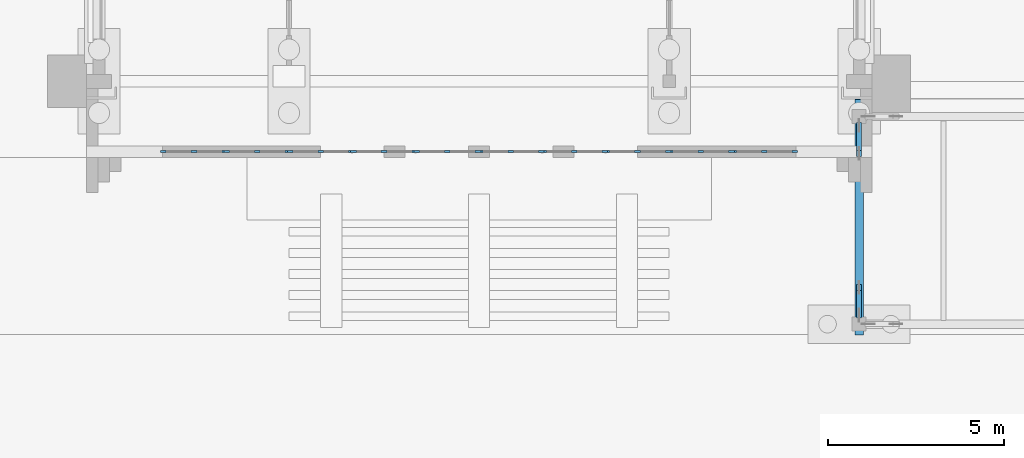
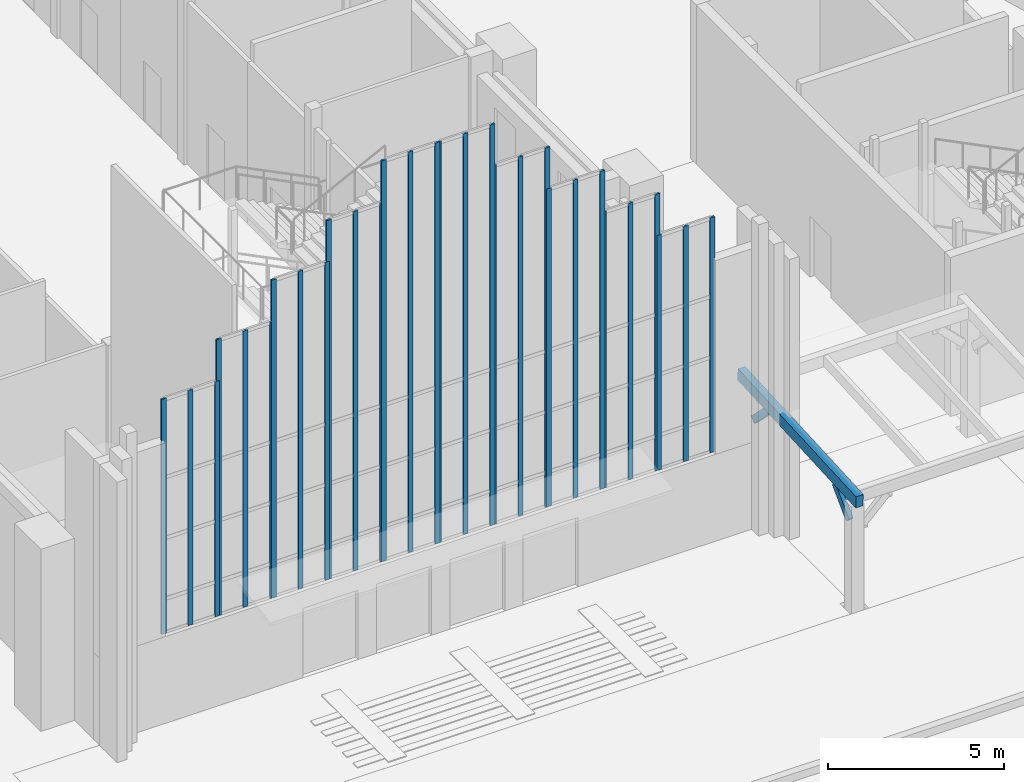
# One storey, part 9 of 84: 32 members, 1 beam, 10 elements without a shape of their own.
"""IFC4 building model written with IfcOpenShell, lengths in metres."""

from ifc_helpers import new_model, si_unit, direction, frame, origin, origin_2d, place, context, subcontext, project, spatial, rectangle, extrude, material, layer, layer_set, material_profile, profile_set, type_object, element, aggregate, save


model = new_model("IFC4")

# Units and contexts
model_context = context("Model", 3, precision=1e-05, world=origin(), true_north=direction((0.0, 1.0)))
body_context = subcontext(model_context, "Body", "Model", "MODEL_VIEW")
ifc_project = project(units=[si_unit("LENGTHUNIT", "METRE"), si_unit("AREAUNIT", "SQUARE_METRE"), si_unit("VOLUMEUNIT", "CUBIC_METRE"), si_unit("PLANEANGLEUNIT", "RADIAN"), si_unit("MASSUNIT", "GRAM", prefix="KILO")], contexts=[model_context])

# Site, building, storey
site_placement = place(None, origin())
site = spatial("IfcSite", under=ifc_project, at=site_placement, CompositionType="ELEMENT")
building_placement = place(site_placement, origin())
building = spatial("IfcBuilding", under=site, at=building_placement, Name="Mazhai Court Health Centre", CompositionType="ELEMENT")
storey_placement = place(building_placement, origin())
storey = spatial("IfcBuildingStorey", under=building, at=storey_placement, Name="L00", CompositionType="ELEMENT", Elevation=0.0)

# Curtain wall, members
ifc_material_1 = material(Name="Teak timber frame, glazed", Category="wood")
ifc_layer = layer(ifc_material_1, 0.10009765625)
ifc_layer_set = layer_set([ifc_layer], Name="CURTAIN WALL TIMBER 900")
curtain_wall_type = type_object("IfcCurtainWallType", Name="CURTAIN WALL TIMBER 900", PredefinedType="NOTDEFINED", material=ifc_layer_set)
curtain_wall_1_placement = place(storey_placement, origin())
curtain_wall_1 = element("IfcCurtainWall", 1, at=curtain_wall_1_placement, inside=storey, type_object=curtain_wall_type, Name="CW-V1-S01", PredefinedType="NOTDEFINED")
ifc_material_2 = material(Name="Teak timber", Category="wood")
ifc_material_profile_1 = material_profile(ifc_material_2, rectangle(XDim=0.06005859375, YDim=0.159912109375, at=origin_2d()), Name="CW MULLION 60x160")
ifc_profile_set_1 = profile_set([ifc_material_profile_1], Name="Teak timber")
member_type_1 = type_object("IfcMemberType", Name="CW MULLION 60x160", PredefinedType="MULLION", material=ifc_profile_set_1)
member_1_placement = place(storey_placement, frame((45.77001953125, 11.39990234375, 3.0), z_axis=(0.0, 0.0, 1.0), x_axis=(0.0, -1.0, 0.0)))
member_1 = element("IfcMember", 2, at=member_1_placement, type_object=member_type_1, Name="CW mullion 1", PredefinedType="MULLION", context=body_context, shape_type="SweptSolid", body=[
    extrude(rectangle(XDim=0.06005859375, YDim=0.159912109375, at=origin_2d()), origin(), (0.0, 0.0, 1.0), 8.133056640625),
])
member_2_placement = place(storey_placement, frame((44.89990234375, 11.39990234375, 3.0), z_axis=(0.0, 0.0, 1.0), x_axis=(0.0, -1.0, 0.0)))
member_2 = element("IfcMember", 3, at=member_2_placement, type_object=member_type_1, Name="CW mullion 2", PredefinedType="MULLION", context=body_context, shape_type="SweptSolid", body=[
    extrude(rectangle(XDim=0.06005859375, YDim=0.159912109375, at=origin_2d()), origin(), (0.0, 0.0, 1.0), 8.133056640625),
])
member_3_placement = place(storey_placement, frame((44.030029296875, 11.39990234375, 3.0), z_axis=(0.0, 0.0, 1.0), x_axis=(0.0, -1.0, 0.0)))
member_3 = element("IfcMember", 4, at=member_3_placement, type_object=member_type_1, Name="CW mullion 3", PredefinedType="MULLION", context=body_context, shape_type="SweptSolid", body=[
    extrude(rectangle(XDim=0.06005859375, YDim=0.159912109375, at=origin_2d()), origin(), (0.0, 0.0, 1.0), 8.133056640625),
])
aggregate(curtain_wall_1, [member_1, member_2, member_3])

curtain_wall_2_placement = place(storey_placement, origin())
curtain_wall_2 = element("IfcCurtainWall", 5, at=curtain_wall_2_placement, inside=storey, type_object=curtain_wall_type, Name="CW-V1-S02", PredefinedType="NOTDEFINED")
member_4_placement = place(storey_placement, frame((47.570068359375, 11.39990234375, 3.0), z_axis=(0.0, 0.0, 1.0), x_axis=(0.0, -1.0, 0.0)))
member_4 = element("IfcMember", 6, at=member_4_placement, type_object=member_type_1, Name="CW mullion 1", PredefinedType="MULLION", context=body_context, shape_type="SweptSolid", body=[
    extrude(rectangle(XDim=0.06005859375, YDim=0.159912109375, at=origin_2d()), origin(), (0.0, 0.0, 1.0), 9.56689453125),
])
member_5_placement = place(storey_placement, frame((46.699951171875, 11.39990234375, 3.0), z_axis=(0.0, 0.0, 1.0), x_axis=(0.0, -1.0, 0.0)))
member_5 = element("IfcMember", 7, at=member_5_placement, type_object=member_type_1, Name="CW mullion 2", PredefinedType="MULLION", context=body_context, shape_type="SweptSolid", body=[
    extrude(rectangle(XDim=0.06005859375, YDim=0.159912109375, at=origin_2d()), origin(), (0.0, 0.0, 1.0), 9.56689453125),
])
member_6_placement = place(storey_placement, frame((45.830078125, 11.39990234375, 3.0), z_axis=(0.0, 0.0, 1.0), x_axis=(0.0, -1.0, 0.0)))
member_6 = element("IfcMember", 8, at=member_6_placement, type_object=member_type_1, Name="CW mullion 3", PredefinedType="MULLION", context=body_context, shape_type="SweptSolid", body=[
    extrude(rectangle(XDim=0.06005859375, YDim=0.159912109375, at=origin_2d()), origin(), (0.0, 0.0, 1.0), 9.56689453125),
])
aggregate(curtain_wall_2, [member_4, member_5, member_6])

curtain_wall_3_placement = place(storey_placement, origin())
curtain_wall_3 = element("IfcCurtainWall", 9, at=curtain_wall_3_placement, inside=storey, type_object=curtain_wall_type, Name="CW-V1-S03", PredefinedType="NOTDEFINED")
member_7_placement = place(storey_placement, frame((49.3701171875, 11.39990234375, 3.0), z_axis=(0.0, 0.0, 1.0), x_axis=(0.0, -1.0, 0.0)))
member_7 = element("IfcMember", 10, at=member_7_placement, type_object=member_type_1, Name="CW mullion 1", PredefinedType="MULLION", context=body_context, shape_type="SweptSolid", body=[
    extrude(rectangle(XDim=0.06005859375, YDim=0.159912109375, at=origin_2d()), origin(), (0.0, 0.0, 1.0), 11.0),
])
member_8_placement = place(storey_placement, frame((48.5, 11.39990234375, 3.0), z_axis=(0.0, 0.0, 1.0), x_axis=(0.0, -1.0, 0.0)))
member_8 = element("IfcMember", 11, at=member_8_placement, type_object=member_type_1, Name="CW mullion 2", PredefinedType="MULLION", context=body_context, shape_type="SweptSolid", body=[
    extrude(rectangle(XDim=0.06005859375, YDim=0.159912109375, at=origin_2d()), origin(), (0.0, 0.0, 1.0), 11.0),
])
member_9_placement = place(storey_placement, frame((47.6298828125, 11.39990234375, 3.0), z_axis=(0.0, 0.0, 1.0), x_axis=(0.0, -1.0, 0.0)))
member_9 = element("IfcMember", 12, at=member_9_placement, type_object=member_type_1, Name="CW mullion 3", PredefinedType="MULLION", context=body_context, shape_type="SweptSolid", body=[
    extrude(rectangle(XDim=0.06005859375, YDim=0.159912109375, at=origin_2d()), origin(), (0.0, 0.0, 1.0), 11.0),
])
aggregate(curtain_wall_3, [member_7, member_8, member_9])

curtain_wall_4_placement = place(storey_placement, origin())
curtain_wall_4 = element("IfcCurtainWall", 13, at=curtain_wall_4_placement, inside=storey, type_object=curtain_wall_type, Name="CW-V1-S04", PredefinedType="NOTDEFINED")
member_10_placement = place(storey_placement, frame((51.169921875, 11.39990234375, 3.0), z_axis=(0.0, 0.0, 1.0), x_axis=(0.0, -1.0, 0.0)))
member_10 = element("IfcMember", 14, at=member_10_placement, type_object=member_type_1, Name="CW mullion 1", PredefinedType="MULLION", context=body_context, shape_type="SweptSolid", body=[
    extrude(rectangle(XDim=0.06005859375, YDim=0.159912109375, at=origin_2d()), origin(), (0.0, 0.0, 1.0), 12.43310546875),
])
member_11_placement = place(storey_placement, frame((50.300048828125, 11.39990234375, 3.0), z_axis=(0.0, 0.0, 1.0), x_axis=(0.0, -1.0, 0.0)))
member_11 = element("IfcMember", 15, at=member_11_placement, type_object=member_type_1, Name="CW mullion 2", PredefinedType="MULLION", context=body_context, shape_type="SweptSolid", body=[
    extrude(rectangle(XDim=0.06005859375, YDim=0.159912109375, at=origin_2d()), origin(), (0.0, 0.0, 1.0), 12.43310546875),
])
member_12_placement = place(storey_placement, frame((49.429931640625, 11.39990234375, 3.0), z_axis=(0.0, 0.0, 1.0), x_axis=(0.0, -1.0, 0.0)))
member_12 = element("IfcMember", 16, at=member_12_placement, type_object=member_type_1, Name="CW mullion 3", PredefinedType="MULLION", context=body_context, shape_type="SweptSolid", body=[
    extrude(rectangle(XDim=0.06005859375, YDim=0.159912109375, at=origin_2d()), origin(), (0.0, 0.0, 1.0), 12.43310546875),
])
aggregate(curtain_wall_4, [member_10, member_11, member_12])

curtain_wall_5_placement = place(storey_placement, origin())
curtain_wall_5 = element("IfcCurtainWall", 17, at=curtain_wall_5_placement, inside=storey, type_object=curtain_wall_type, Name="CW-V1-S05", PredefinedType="NOTDEFINED")
member_13_placement = place(storey_placement, frame((52.969970703125, 11.39990234375, 3.0), z_axis=(0.0, 0.0, 1.0), x_axis=(0.0, -1.0, 0.0)))
member_13 = element("IfcMember", 18, at=member_13_placement, type_object=member_type_1, Name="CW mullion 1", PredefinedType="MULLION", context=body_context, shape_type="SweptSolid", body=[
    extrude(rectangle(XDim=0.06005859375, YDim=0.159912109375, at=origin_2d()), origin(), (0.0, 0.0, 1.0), 13.866943359375),
])
member_14_placement = place(storey_placement, frame((52.10009765625, 11.39990234375, 3.0), z_axis=(0.0, 0.0, 1.0), x_axis=(0.0, -1.0, 0.0)))
member_14 = element("IfcMember", 19, at=member_14_placement, type_object=member_type_1, Name="CW mullion 2", PredefinedType="MULLION", context=body_context, shape_type="SweptSolid", body=[
    extrude(rectangle(XDim=0.06005859375, YDim=0.159912109375, at=origin_2d()), origin(), (0.0, 0.0, 1.0), 13.866943359375),
])
member_15_placement = place(storey_placement, frame((51.22998046875, 11.39990234375, 3.0), z_axis=(0.0, 0.0, 1.0), x_axis=(0.0, -1.0, 0.0)))
member_15 = element("IfcMember", 20, at=member_15_placement, type_object=member_type_1, Name="CW mullion 3", PredefinedType="MULLION", context=body_context, shape_type="SweptSolid", body=[
    extrude(rectangle(XDim=0.06005859375, YDim=0.159912109375, at=origin_2d()), origin(), (0.0, 0.0, 1.0), 13.866943359375),
])
aggregate(curtain_wall_5, [member_13, member_14, member_15])

curtain_wall_6_placement = place(storey_placement, origin())
curtain_wall_6 = element("IfcCurtainWall", 21, at=curtain_wall_6_placement, inside=storey, type_object=curtain_wall_type, Name="CW-V1-S06", PredefinedType="NOTDEFINED")
member_16_placement = place(storey_placement, frame((54.77001953125, 11.39990234375, 3.0), z_axis=(0.0, 0.0, 1.0), x_axis=(0.0, -1.0, 0.0)))
member_16 = element("IfcMember", 22, at=member_16_placement, type_object=member_type_1, Name="CW mullion 1", PredefinedType="MULLION", context=body_context, shape_type="SweptSolid", body=[
    extrude(rectangle(XDim=0.06005859375, YDim=0.159912109375, at=origin_2d()), origin(), (0.0, 0.0, 1.0), 13.866943359375),
])
member_17_placement = place(storey_placement, frame((53.89990234375, 11.39990234375, 3.0), z_axis=(0.0, 0.0, 1.0), x_axis=(0.0, -1.0, 0.0)))
member_17 = element("IfcMember", 23, at=member_17_placement, type_object=member_type_1, Name="CW mullion 2", PredefinedType="MULLION", context=body_context, shape_type="SweptSolid", body=[
    extrude(rectangle(XDim=0.06005859375, YDim=0.159912109375, at=origin_2d()), origin(), (0.0, 0.0, 1.0), 13.866943359375),
])
member_18_placement = place(storey_placement, frame((53.030029296875, 11.39990234375, 3.0), z_axis=(0.0, 0.0, 1.0), x_axis=(0.0, -1.0, 0.0)))
member_18 = element("IfcMember", 24, at=member_18_placement, type_object=member_type_1, Name="CW mullion 3", PredefinedType="MULLION", context=body_context, shape_type="SweptSolid", body=[
    extrude(rectangle(XDim=0.06005859375, YDim=0.159912109375, at=origin_2d()), origin(), (0.0, 0.0, 1.0), 13.866943359375),
])
aggregate(curtain_wall_6, [member_16, member_17, member_18])

curtain_wall_7_placement = place(storey_placement, origin())
curtain_wall_7 = element("IfcCurtainWall", 25, at=curtain_wall_7_placement, inside=storey, type_object=curtain_wall_type, Name="CW-V1-S07", PredefinedType="NOTDEFINED")
member_19_placement = place(storey_placement, frame((56.570068359375, 11.39990234375, 3.0), z_axis=(0.0, 0.0, 1.0), x_axis=(0.0, -1.0, 0.0)))
member_19 = element("IfcMember", 26, at=member_19_placement, type_object=member_type_1, Name="CW mullion 1", PredefinedType="MULLION", context=body_context, shape_type="SweptSolid", body=[
    extrude(rectangle(XDim=0.06005859375, YDim=0.159912109375, at=origin_2d()), origin(), (0.0, 0.0, 1.0), 12.43310546875),
])
member_20_placement = place(storey_placement, frame((55.699951171875, 11.39990234375, 3.0), z_axis=(0.0, 0.0, 1.0), x_axis=(0.0, -1.0, 0.0)))
member_20 = element("IfcMember", 27, at=member_20_placement, type_object=member_type_1, Name="CW mullion 2", PredefinedType="MULLION", context=body_context, shape_type="SweptSolid", body=[
    extrude(rectangle(XDim=0.06005859375, YDim=0.159912109375, at=origin_2d()), origin(), (0.0, 0.0, 1.0), 12.43310546875),
])
member_21_placement = place(storey_placement, frame((54.830078125, 11.39990234375, 3.0), z_axis=(0.0, 0.0, 1.0), x_axis=(0.0, -1.0, 0.0)))
member_21 = element("IfcMember", 28, at=member_21_placement, type_object=member_type_1, Name="CW mullion 3", PredefinedType="MULLION", context=body_context, shape_type="SweptSolid", body=[
    extrude(rectangle(XDim=0.06005859375, YDim=0.159912109375, at=origin_2d()), origin(), (0.0, 0.0, 1.0), 12.43310546875),
])
aggregate(curtain_wall_7, [member_19, member_20, member_21])

curtain_wall_8_placement = place(storey_placement, origin())
curtain_wall_8 = element("IfcCurtainWall", 29, at=curtain_wall_8_placement, inside=storey, type_object=curtain_wall_type, Name="CW-V1-S08", PredefinedType="NOTDEFINED")
member_22_placement = place(storey_placement, frame((58.3701171875, 11.39990234375, 3.0), z_axis=(0.0, 0.0, 1.0), x_axis=(0.0, -1.0, 0.0)))
member_22 = element("IfcMember", 30, at=member_22_placement, type_object=member_type_1, Name="CW mullion 1", PredefinedType="MULLION", context=body_context, shape_type="SweptSolid", body=[
    extrude(rectangle(XDim=0.06005859375, YDim=0.159912109375, at=origin_2d()), origin(), (0.0, 0.0, 1.0), 11.0),
])
member_23_placement = place(storey_placement, frame((57.5, 11.39990234375, 3.0), z_axis=(0.0, 0.0, 1.0), x_axis=(0.0, -1.0, 0.0)))
member_23 = element("IfcMember", 31, at=member_23_placement, type_object=member_type_1, Name="CW mullion 2", PredefinedType="MULLION", context=body_context, shape_type="SweptSolid", body=[
    extrude(rectangle(XDim=0.06005859375, YDim=0.159912109375, at=origin_2d()), origin(), (0.0, 0.0, 1.0), 11.0),
])
member_24_placement = place(storey_placement, frame((56.6298828125, 11.39990234375, 3.0), z_axis=(0.0, 0.0, 1.0), x_axis=(0.0, -1.0, 0.0)))
member_24 = element("IfcMember", 32, at=member_24_placement, type_object=member_type_1, Name="CW mullion 3", PredefinedType="MULLION", context=body_context, shape_type="SweptSolid", body=[
    extrude(rectangle(XDim=0.06005859375, YDim=0.159912109375, at=origin_2d()), origin(), (0.0, 0.0, 1.0), 11.0),
])
aggregate(curtain_wall_8, [member_22, member_23, member_24])

curtain_wall_9_placement = place(storey_placement, origin())
curtain_wall_9 = element("IfcCurtainWall", 33, at=curtain_wall_9_placement, inside=storey, type_object=curtain_wall_type, Name="CW-V1-S09", PredefinedType="NOTDEFINED")
member_25_placement = place(storey_placement, frame((60.169921875, 11.39990234375, 3.0), z_axis=(0.0, 0.0, 1.0), x_axis=(0.0, -1.0, 0.0)))
member_25 = element("IfcMember", 34, at=member_25_placement, type_object=member_type_1, Name="CW mullion 1", PredefinedType="MULLION", context=body_context, shape_type="SweptSolid", body=[
    extrude(rectangle(XDim=0.06005859375, YDim=0.159912109375, at=origin_2d()), origin(), (0.0, 0.0, 1.0), 9.56689453125),
])
member_26_placement = place(storey_placement, frame((59.300048828125, 11.39990234375, 3.0), z_axis=(0.0, 0.0, 1.0), x_axis=(0.0, -1.0, 0.0)))
member_26 = element("IfcMember", 35, at=member_26_placement, type_object=member_type_1, Name="CW mullion 2", PredefinedType="MULLION", context=body_context, shape_type="SweptSolid", body=[
    extrude(rectangle(XDim=0.06005859375, YDim=0.159912109375, at=origin_2d()), origin(), (0.0, 0.0, 1.0), 9.56689453125),
])
member_27_placement = place(storey_placement, frame((58.429931640625, 11.39990234375, 3.0), z_axis=(0.0, 0.0, 1.0), x_axis=(0.0, -1.0, 0.0)))
member_27 = element("IfcMember", 36, at=member_27_placement, type_object=member_type_1, Name="CW mullion 3", PredefinedType="MULLION", context=body_context, shape_type="SweptSolid", body=[
    extrude(rectangle(XDim=0.06005859375, YDim=0.159912109375, at=origin_2d()), origin(), (0.0, 0.0, 1.0), 9.56689453125),
])
aggregate(curtain_wall_9, [member_25, member_26, member_27])

curtain_wall_10_placement = place(storey_placement, origin())
curtain_wall_10 = element("IfcCurtainWall", 37, at=curtain_wall_10_placement, inside=storey, type_object=curtain_wall_type, Name="CW-V1-S10", PredefinedType="NOTDEFINED")
member_28_placement = place(storey_placement, frame((61.969970703125, 11.39990234375, 3.0), z_axis=(0.0, 0.0, 1.0), x_axis=(0.0, -1.0, 0.0)))
member_28 = element("IfcMember", 38, at=member_28_placement, type_object=member_type_1, Name="CW mullion 1", PredefinedType="MULLION", context=body_context, shape_type="SweptSolid", body=[
    extrude(rectangle(XDim=0.06005859375, YDim=0.159912109375, at=origin_2d()), origin(), (0.0, 0.0, 1.0), 8.133056640625),
])
member_29_placement = place(storey_placement, frame((61.10009765625, 11.39990234375, 3.0), z_axis=(0.0, 0.0, 1.0), x_axis=(0.0, -1.0, 0.0)))
member_29 = element("IfcMember", 39, at=member_29_placement, type_object=member_type_1, Name="CW mullion 2", PredefinedType="MULLION", context=body_context, shape_type="SweptSolid", body=[
    extrude(rectangle(XDim=0.06005859375, YDim=0.159912109375, at=origin_2d()), origin(), (0.0, 0.0, 1.0), 8.133056640625),
])
member_30_placement = place(storey_placement, frame((60.22998046875, 11.39990234375, 3.0), z_axis=(0.0, 0.0, 1.0), x_axis=(0.0, -1.0, 0.0)))
member_30 = element("IfcMember", 40, at=member_30_placement, type_object=member_type_1, Name="CW mullion 3", PredefinedType="MULLION", context=body_context, shape_type="SweptSolid", body=[
    extrude(rectangle(XDim=0.06005859375, YDim=0.159912109375, at=origin_2d()), origin(), (0.0, 0.0, 1.0), 8.133056640625),
])
aggregate(curtain_wall_10, [member_28, member_29, member_30])

# Members
ifc_material_3 = material(Name="Glulam GL28h", Category="wood")
ifc_material_profile_2 = material_profile(ifc_material_3, rectangle(XDim=0.139892578125, YDim=0.239990234375, at=origin_2d()), Name="GL28h 140x240")
ifc_profile_set_2 = profile_set([ifc_material_profile_2], Name="Glulam GL28h")
member_type_2 = type_object("IfcMemberType", Name="GL28h 140x240 knee brace", PredefinedType="BRACE", material=ifc_profile_set_2)
member_31_placement = place(storey_placement, frame((63.800048828125, 6.7548828125, 2.83251953125), z_axis=(0.0, 0.706996407852, 0.707217137296), x_axis=(-1.0, 0.0, 0.0)))
element("IfcMember", 41, at=member_31_placement, inside=storey, type_object=member_type_2, Name="brace-AR-L00-f00y", PredefinedType="BRACE", context=body_context, shape_type="SweptSolid", body=[
    extrude(rectangle(XDim=0.139892578125, YDim=0.239990234375, at=origin_2d()), origin(), (0.0, 0.0, 1.0), 1.10595703125),
])
member_32_placement = place(storey_placement, frame((63.800048828125, 12.145263671875, 3.0380859375), z_axis=(0.0, -0.707106781187, 0.707106781187), x_axis=(1.0, 0.0, 0.0)))
element("IfcMember", 42, at=member_32_placement, inside=storey, type_object=member_type_2, Name="brace-AR-L00-r00y", PredefinedType="BRACE", context=body_context, shape_type="SweptSolid", body=[
    extrude(rectangle(XDim=0.139892578125, YDim=0.239990234375, at=origin_2d()), origin(), (0.0, 0.0, 1.0), 1.12841796875),
])

# Beam
ifc_material_4 = material(Name="Glulam GL28h", Category="wood")
ifc_material_profile_3 = material_profile(ifc_material_4, rectangle(XDim=0.239990234375, YDim=0.39990234375, at=origin_2d()), Name="GL28h 240x400")
ifc_profile_set_3 = profile_set([ifc_material_profile_3], Name="Glulam GL28h")
beam_type = type_object("IfcBeamType", Name="GL28h 240x400 beam", PredefinedType="BEAM", material=ifc_profile_set_3)
beam_placement = place(storey_placement, frame((63.800048828125, 6.199951171875, 3.800048828125), z_axis=(0.0, 0.998461584388, 0.055447853901), x_axis=(-1.0, 0.0, 0.0)))
element("IfcBeam", 43, at=beam_placement, inside=storey, type_object=beam_type, Name="beam-AR-L00-00", PredefinedType="BEAM", context=body_context, shape_type="SweptSolid", body=[
    extrude(rectangle(XDim=0.239990234375, YDim=0.39990234375, at=origin_2d()), origin(), (0.0, 0.0, 1.0), 6.710205078125),
])

save(model, "model.ifc")
